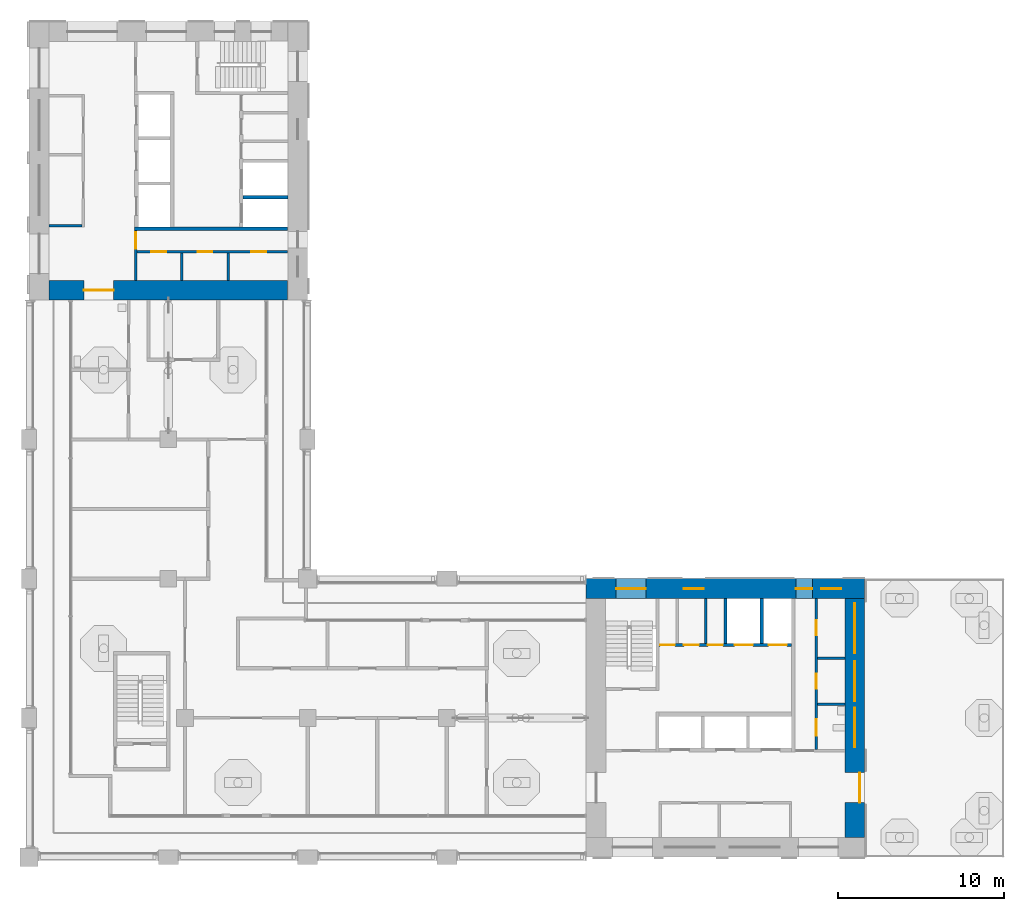
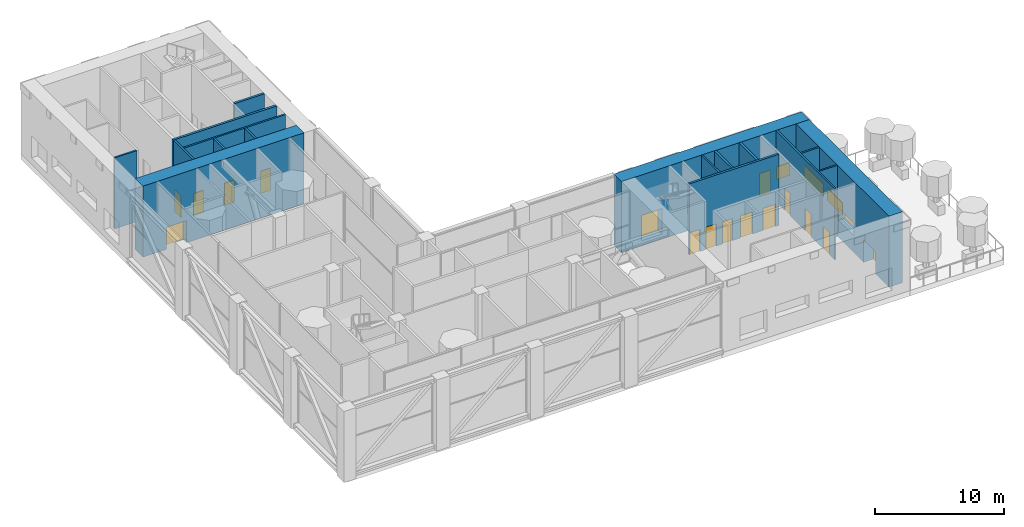
# One storey, part 9 of 20: 17 walls, 14 doors, 7 windows, 21 openings.
"""IFC4 building model written with IfcOpenShell, lengths in metres."""

from ifc_helpers import new_model, si_unit, direction, frame, frame_2d, origin, place, context, subcontext, project, spatial, rectangle, extrude, material, layer, layer_set, type_object, element, fill, save


model = new_model("IFC4")

# Units and contexts
model_context = context("Model", 3, precision=1e-05, world=origin(), true_north=direction((0.0, 1.0)))
body_context = subcontext(model_context, "Body", "Model", "MODEL_VIEW")
ifc_project = project(units=[si_unit("LENGTHUNIT", "METRE"), si_unit("AREAUNIT", "SQUARE_METRE"), si_unit("VOLUMEUNIT", "CUBIC_METRE"), si_unit("PLANEANGLEUNIT", "RADIAN"), si_unit("MASSUNIT", "GRAM", prefix="KILO")], contexts=[model_context])

# Site, building, storey
site_placement = place(None, origin())
site = spatial("IfcSite", under=ifc_project, at=site_placement, CompositionType="ELEMENT")
building_placement = place(site_placement, origin())
building = spatial("IfcBuilding", under=site, at=building_placement, Name="Vermilion Gate Residences", CompositionType="ELEMENT")
storey_placement = place(building_placement, frame((0.0, 0.0, 207.199951171875)))
storey = spatial("IfcBuildingStorey", under=building, at=storey_placement, Name="L54", CompositionType="ELEMENT", Elevation=207.199951171875)

# Walls
ifc_material_1 = material(Name="Masonry blockwork", Category="masonry")
ifc_layer_1 = layer(ifc_material_1, 0.14990234375)
ifc_layer_set_1 = layer_set([ifc_layer_1], Name="BLOCKWORK PARTITION 150 EI 120")
wall_type_1 = type_object("IfcWallType", Name="BLOCKWORK PARTITION 150 EI 120", PredefinedType="PARTITIONING", material=ifc_layer_set_1)
wall_1_placement = place(storey_placement, frame((49.217041015625, 21.300048828125, 0.0), z_axis=(0.0, 0.0, 1.0), x_axis=(0.0, 1.0, 0.0)))
element("IfcWall", 1, at=wall_1_placement, inside=storey, type_object=wall_type_1, Name="Core room partition A54-NR-P1", PredefinedType="PARTITIONING", context=body_context, shape_type="SweptSolid", body=[
    extrude(rectangle(XDim=2.699951171875, YDim=0.14990234375, at=frame_2d((1.35009765625, 0.0))), origin(), (0.0, 0.0, 1.0), 6.719970703125),
])
for number, where, z_axis, x_axis, name in (
    (2, (55.949951171875, 17.614990234375, 0.0), (0.0, 0.0, 1.0), (1.0, 0.0, 0.0), "Core room partition A54-ES-P0"),
    (3, (55.949951171875, 20.405029296875, 0.0), (0.0, 0.0, 1.0), (1.0, 0.0, 0.0), "Core room partition A54-ES-P1"),
):
    element("IfcWall", number, at=place(storey_placement, frame(where, z_axis=z_axis, x_axis=x_axis)), inside=storey, type_object=wall_type_1, Name=name, PredefinedType="PARTITIONING", context=body_context, shape_type="SweptSolid", body=[
        extrude(rectangle(XDim=1.650146484375, YDim=0.14990234375, at=frame_2d((0.8251953125, 0.0))), origin(), (0.0, 0.0, 1.0), 6.719970703125),
    ])

# Wall, openings, doors
wall_2_placement = place(storey_placement, frame((55.875, 14.89990234375, 0.0), z_axis=(0.0, 0.0, 1.0), x_axis=(0.0, 1.0, 0.0)))
wall_2 = element("IfcWall", 4, at=wall_2_placement, inside=storey, type_object=wall_type_1, Name="Core room partition A54-ES-W", PredefinedType="PARTITIONING", context=body_context, shape_type="SweptSolid", body=[
    extrude(rectangle(XDim=9.10009765625, YDim=0.14990234375, at=frame_2d((4.550048828125, 0.0))), origin(), (0.0, 0.0, 1.0), 6.719970703125),
])
opening_1_placement = place(wall_2_placement, frame((0.820068359375, 0.0, 0.0)))
opening_1 = element("IfcOpeningElement", 5, at=opening_1_placement, cuts=wall_2, Name="Opening DK54016", PredefinedType="OPENING", context=body_context, shape_type="SweptSolid", body=[
    extrude(rectangle(XDim=1.0, YDim=2.10009765625, at=frame_2d((0.5, 1.050048828125))), frame((0.0, 0.0849609375, 0.0), z_axis=(0.0, -1.0, 0.0), x_axis=(1.0, 0.0, 0.0)), (0.0, 0.0, 1.0), 0.169921875),
])
opening_2_placement = place(wall_2_placement, frame((3.659912109375, 0.0, 0.0)))
opening_2 = element("IfcOpeningElement", 6, at=opening_2_placement, cuts=wall_2, Name="Opening DK54017", PredefinedType="OPENING", context=body_context, shape_type="SweptSolid", body=[
    extrude(rectangle(XDim=0.89990234375, YDim=2.10009765625, at=frame_2d((0.449951171875, 1.050048828125))), frame((0.0, 0.0849609375, 0.0), z_axis=(0.0, -1.0, 0.0), x_axis=(1.0, 0.0, 0.0)), (0.0, 0.0, 1.0), 0.169921875),
])
opening_3_placement = place(wall_2_placement, frame((6.889892578125, 0.0, 0.0)))
opening_3 = element("IfcOpeningElement", 7, at=opening_3_placement, cuts=wall_2, Name="Opening DK54018", PredefinedType="OPENING", context=body_context, shape_type="SweptSolid", body=[
    extrude(rectangle(XDim=0.89990234375, YDim=2.10009765625, at=frame_2d((0.449951171875, 1.050048828125))), frame((0.0, 0.0849609375, 0.0), z_axis=(0.0, -1.0, 0.0), x_axis=(1.0, 0.0, 0.0)), (0.0, 0.0, 1.0), 0.169921875),
])
ifc_material_2 = material(Name="Steel", Category="steel")
door_type_1 = type_object("IfcDoorType", Name="FIRE DOOR FD60 1000 X 2100", OperationType="SINGLE_SWING_LEFT", PredefinedType="DOOR", material=ifc_material_2)
door_1_placement = place(opening_1_placement, frame((1.0, 0.0, 0.0), z_axis=(0.0, 0.0, 1.0), x_axis=(-1.0, 0.0, 0.0)))
door_1 = element("IfcDoor", 8, at=door_1_placement, inside=storey, type_object=door_type_1, Name="Accessible WC A54", OperationType="SINGLE_SWING_LEFT", OverallHeight=2.10009765625, OverallWidth=1.0, PredefinedType="DOOR", context=body_context, shape_type="SweptSolid", body=[
    extrude(rectangle(XDim=1.0, YDim=2.10009765625, at=frame_2d((0.5, 1.050048828125))), frame((0.0, 0.02490234375, 0.0), z_axis=(0.0, -1.0, 0.0), x_axis=(1.0, 0.0, 0.0)), (0.0, 0.0, 1.0), 0.050048828125),
])
fill(opening_1, door_1)
ifc_material_3 = material(Name="Steel", Category="steel")
door_type_2 = type_object("IfcDoorType", Name="SERVICE ROOM DOOR FD60 900 X 2100", OperationType="SINGLE_SWING_LEFT", PredefinedType="DOOR", material=ifc_material_3)
door_2_placement = place(opening_2_placement, frame((0.89990234375, 0.0, 0.0), z_axis=(0.0, 0.0, 1.0), x_axis=(-1.0, 0.0, 0.0)))
door_2 = element("IfcDoor", 9, at=door_2_placement, inside=storey, type_object=door_type_2, Name="Cooling water tank room A54", OperationType="SINGLE_SWING_LEFT", OverallHeight=2.10009765625, OverallWidth=0.89990234375, PredefinedType="DOOR", context=body_context, shape_type="SweptSolid", body=[
    extrude(rectangle(XDim=0.89990234375, YDim=2.10009765625, at=frame_2d((0.449951171875, 1.050048828125))), frame((0.0, 0.02490234375, 0.0), z_axis=(0.0, -1.0, 0.0), x_axis=(1.0, 0.0, 0.0)), (0.0, 0.0, 1.0), 0.050048828125),
])
fill(opening_2, door_2)
door_3_placement = place(opening_3_placement, frame((0.89990234375, 0.0, 0.0), z_axis=(0.0, 0.0, 1.0), x_axis=(-1.0, 0.0, 0.0)))
door_3 = element("IfcDoor", 10, at=door_3_placement, inside=storey, type_object=door_type_2, Name="Generator room A54", OperationType="SINGLE_SWING_RIGHT", OverallHeight=2.10009765625, OverallWidth=0.89990234375, PredefinedType="DOOR", context=body_context, shape_type="SweptSolid", body=[
    extrude(rectangle(XDim=0.89990234375, YDim=2.10009765625, at=frame_2d((0.449951171875, 1.050048828125))), frame((0.0, 0.02490234375, 0.0), z_axis=(0.0, -1.0, 0.0), x_axis=(1.0, 0.0, 0.0)), (0.0, 0.0, 1.0), 0.050048828125),
])
fill(opening_3, door_3)

# Wall
wall_3_placement = place(storey_placement, frame((9.60009765625, 46.47509765625, 0.0), z_axis=(0.0, 0.0, 1.0), x_axis=(1.0, 0.0, 0.0)))
element("IfcWall", 11, at=wall_3_placement, inside=storey, type_object=wall_type_1, Name="Core room partition B54-RW-E", PredefinedType="PARTITIONING", context=body_context, shape_type="SweptSolid", body=[
    extrude(rectangle(XDim=2.0, YDim=0.14990234375, at=frame_2d((1.0, 0.0))), origin(), (0.0, 0.0, 1.0), 6.719970703125),
])

# Wall, opening, door
wall_4_placement = place(storey_placement, frame((14.824951171875, 46.199951171875, 0.0), z_axis=(0.0, 0.0, 1.0), x_axis=(0.0, -1.0, 0.0)))
wall_4 = element("IfcWall", 12, at=wall_4_placement, inside=storey, type_object=wall_type_1, Name="Core room partition B54-ES-S", PredefinedType="PARTITIONING", context=body_context, shape_type="SweptSolid", body=[
    extrude(rectangle(XDim=3.0, YDim=0.14990234375, at=frame_2d((1.5, 0.0))), origin(), (0.0, 0.0, 1.0), 6.719970703125),
])
opening_4_placement = place(wall_4_placement, frame((0.10009765625, 0.0, 0.0)))
opening_4 = element("IfcOpeningElement", 13, at=opening_4_placement, cuts=wall_4, Name="Opening DK54114", PredefinedType="OPENING", context=body_context, shape_type="SweptSolid", body=[
    extrude(rectangle(XDim=1.0, YDim=2.10009765625, at=frame_2d((0.5, 1.050048828125))), frame((0.0, 0.0849609375, 0.0), z_axis=(0.0, -1.0, 0.0), x_axis=(1.0, 0.0, 0.0)), (0.0, 0.0, 1.0), 0.169921875),
])
door_4_placement = place(opening_4_placement, frame((1.0, 0.0, 0.0), z_axis=(0.0, 0.0, 1.0), x_axis=(-1.0, 0.0, 0.0)))
door_4 = element("IfcDoor", 14, at=door_4_placement, inside=storey, type_object=door_type_1, Name="Service corridor door B54", OperationType="SINGLE_SWING_LEFT", OverallHeight=2.10009765625, OverallWidth=1.0, PredefinedType="DOOR", context=body_context, shape_type="SweptSolid", body=[
    extrude(rectangle(XDim=1.0, YDim=2.10009765625, at=frame_2d((0.5, 1.050048828125))), frame((0.0, 0.02490234375, 0.0), z_axis=(0.0, -1.0, 0.0), x_axis=(1.0, 0.0, 0.0)), (0.0, 0.0, 1.0), 0.050048828125),
])
fill(opening_4, door_4)

# Walls
for number, where, z_axis, x_axis, name in (
    (15, (17.614990234375, 44.85009765625, 0.0), (0.0, 0.0, 1.0), (0.0, -1.0, 0.0), "Core room partition B54-ES-P0"),
    (16, (20.405029296875, 44.85009765625, 0.0), (0.0, 0.0, 1.0), (0.0, -1.0, 0.0), "Core room partition B54-ES-P1"),
):
    element("IfcWall", number, at=place(storey_placement, frame(where, z_axis=z_axis, x_axis=x_axis)), inside=storey, type_object=wall_type_1, Name=name, PredefinedType="PARTITIONING", context=body_context, shape_type="SweptSolid", body=[
        extrude(rectangle(XDim=1.650146484375, YDim=0.14990234375, at=frame_2d((0.8251953125, 0.0))), origin(), (0.0, 0.0, 1.0), 6.719970703125),
    ])

# Wall, openings, doors
wall_5_placement = place(storey_placement, frame((14.89990234375, 44.925048828125, 0.0), z_axis=(0.0, 0.0, 1.0), x_axis=(1.0, 0.0, 0.0)))
wall_5 = element("IfcWall", 17, at=wall_5_placement, inside=storey, type_object=wall_type_1, Name="Core room partition B54-ES-W", PredefinedType="PARTITIONING", context=body_context, shape_type="SweptSolid", body=[
    extrude(rectangle(XDim=9.10009765625, YDim=0.14990234375, at=frame_2d((4.550048828125, 0.0))), origin(), (0.0, 0.0, 1.0), 6.719970703125),
])
opening_5_placement = place(wall_5_placement, frame((0.8701171875, 0.0, 0.0)))
opening_5 = element("IfcOpeningElement", 18, at=opening_5_placement, cuts=wall_5, Name="Opening DK54115", PredefinedType="OPENING", context=body_context, shape_type="SweptSolid", body=[
    extrude(rectangle(XDim=0.89990234375, YDim=2.10009765625, at=frame_2d((0.449951171875, 1.050048828125))), frame((0.0, 0.0849609375, 0.0), z_axis=(0.0, -1.0, 0.0), x_axis=(1.0, 0.0, 0.0)), (0.0, 0.0, 1.0), 0.169921875),
])
opening_6_placement = place(wall_5_placement, frame((3.659912109375, 0.0, 0.0)))
opening_6 = element("IfcOpeningElement", 19, at=opening_6_placement, cuts=wall_5, Name="Opening DK54116", PredefinedType="OPENING", context=body_context, shape_type="SweptSolid", body=[
    extrude(rectangle(XDim=0.89990234375, YDim=2.10009765625, at=frame_2d((0.449951171875, 1.050048828125))), frame((0.0, 0.0849609375, 0.0), z_axis=(0.0, -1.0, 0.0), x_axis=(1.0, 0.0, 0.0)), (0.0, 0.0, 1.0), 0.169921875),
])
opening_7_placement = place(wall_5_placement, frame((6.889892578125, 0.0, 0.0)))
opening_7 = element("IfcOpeningElement", 20, at=opening_7_placement, cuts=wall_5, Name="Opening DK54117", PredefinedType="OPENING", context=body_context, shape_type="SweptSolid", body=[
    extrude(rectangle(XDim=0.89990234375, YDim=2.10009765625, at=frame_2d((0.449951171875, 1.050048828125))), frame((0.0, 0.0849609375, 0.0), z_axis=(0.0, -1.0, 0.0), x_axis=(1.0, 0.0, 0.0)), (0.0, 0.0, 1.0), 0.169921875),
])
door_5_placement = place(opening_5_placement, frame((0.89990234375, 0.0, 0.0), z_axis=(0.0, 0.0, 1.0), x_axis=(-1.0, 0.0, 0.0)))
door_5 = element("IfcDoor", 21, at=door_5_placement, inside=storey, type_object=door_type_2, Name="Boiler plant room B54", OperationType="SINGLE_SWING_LEFT", OverallHeight=2.10009765625, OverallWidth=0.89990234375, PredefinedType="DOOR", context=body_context, shape_type="SweptSolid", body=[
    extrude(rectangle(XDim=0.89990234375, YDim=2.10009765625, at=frame_2d((0.449951171875, 1.050048828125))), frame((0.0, 0.02490234375, 0.0), z_axis=(0.0, -1.0, 0.0), x_axis=(1.0, 0.0, 0.0)), (0.0, 0.0, 1.0), 0.050048828125),
])
fill(opening_5, door_5)
door_6_placement = place(opening_6_placement, frame((0.89990234375, 0.0, 0.0), z_axis=(0.0, 0.0, 1.0), x_axis=(-1.0, 0.0, 0.0)))
door_6 = element("IfcDoor", 22, at=door_6_placement, inside=storey, type_object=door_type_2, Name="Cooling water tank room B54", OperationType="SINGLE_SWING_LEFT", OverallHeight=2.10009765625, OverallWidth=0.89990234375, PredefinedType="DOOR", context=body_context, shape_type="SweptSolid", body=[
    extrude(rectangle(XDim=0.89990234375, YDim=2.10009765625, at=frame_2d((0.449951171875, 1.050048828125))), frame((0.0, 0.02490234375, 0.0), z_axis=(0.0, -1.0, 0.0), x_axis=(1.0, 0.0, 0.0)), (0.0, 0.0, 1.0), 0.050048828125),
])
fill(opening_6, door_6)
door_7_placement = place(opening_7_placement, frame((0.89990234375, 0.0, 0.0), z_axis=(0.0, 0.0, 1.0), x_axis=(-1.0, 0.0, 0.0)))
door_7 = element("IfcDoor", 23, at=door_7_placement, inside=storey, type_object=door_type_2, Name="Chiller plant room B54", OperationType="SINGLE_SWING_RIGHT", OverallHeight=2.10009765625, OverallWidth=0.89990234375, PredefinedType="DOOR", context=body_context, shape_type="SweptSolid", body=[
    extrude(rectangle(XDim=0.89990234375, YDim=2.10009765625, at=frame_2d((0.449951171875, 1.050048828125))), frame((0.0, 0.02490234375, 0.0), z_axis=(0.0, -1.0, 0.0), x_axis=(1.0, 0.0, 0.0)), (0.0, 0.0, 1.0), 0.050048828125),
])
fill(opening_7, door_7)

# Walls
ifc_material_4 = material(Name="Concrete C60", Category="concrete")
ifc_layer_2 = layer(ifc_material_4, 0.199951171875)
ifc_layer_set_2 = layer_set([ifc_layer_2], Name="RC CORE INTERNAL WALL 200 C60")
wall_type_2 = type_object("IfcWallType", Name="RC CORE INTERNAL WALL 200 C60", PredefinedType="SHEAR", material=ifc_layer_set_2)
for number, where, z_axis, x_axis, name in (
    (24, (50.39990234375, 21.300048828125, 0.0), (0.0, 0.0, 1.0), (0.0, 1.0, 0.0), "Core internal wall A54-FF-D0"),
    (25, (52.60009765625, 21.300048828125, 0.0), (0.0, 0.0, 1.0), (0.0, 1.0, 0.0), "Core internal wall A54-FF-D1"),
):
    element("IfcWall", number, at=place(storey_placement, frame(where, z_axis=z_axis, x_axis=x_axis)), inside=storey, type_object=wall_type_2, Name=name, PredefinedType="SHEAR", context=body_context, shape_type="SweptSolid", body=[
        extrude(rectangle(XDim=2.699951171875, YDim=0.199951171875, at=frame_2d((1.35009765625, 0.0))), origin(), (0.0, 0.0, 1.0), 6.719970703125),
    ])

# Wall, openings, doors
wall_6_placement = place(storey_placement, frame((46.39990234375, 21.199951171875, 0.0), z_axis=(0.0, 0.0, 1.0), x_axis=(1.0, 0.0, 0.0)))
wall_6 = element("IfcWall", 26, at=wall_6_placement, inside=storey, type_object=wall_type_2, Name="Core internal wall A54-FF-F", PredefinedType="SHEAR", context=body_context, shape_type="SweptSolid", body=[
    extrude(rectangle(XDim=8.0, YDim=0.199951171875, at=frame_2d((4.0, 0.0))), origin(), (0.0, 0.0, 1.0), 6.719970703125),
])
opening_8_placement = place(wall_6_placement, frame((0.053955078125, 0.0, 0.0)))
opening_8 = element("IfcOpeningElement", 27, at=opening_8_placement, cuts=wall_6, Name="Opening DK54008", PredefinedType="OPENING", context=body_context, shape_type="SweptSolid", body=[
    extrude(rectangle(XDim=0.89990234375, YDim=2.10009765625, at=frame_2d((0.449951171875, 1.050048828125))), frame((0.0, 0.10986328125, 0.0), z_axis=(0.0, -1.0, 0.0), x_axis=(1.0, 0.0, 0.0)), (0.0, 0.0, 1.0), 0.219970703125),
])
opening_9_placement = place(wall_6_placement, frame((1.5, 0.0, 0.0)))
opening_9 = element("IfcOpeningElement", 28, at=opening_9_placement, cuts=wall_6, Name="Opening DK54009", PredefinedType="OPENING", context=body_context, shape_type="SweptSolid", body=[
    extrude(rectangle(XDim=0.89990234375, YDim=2.10009765625, at=frame_2d((0.449951171875, 1.050048828125))), frame((0.0, 0.10986328125, 0.0), z_axis=(0.0, -1.0, 0.0), x_axis=(1.0, 0.0, 0.0)), (0.0, 0.0, 1.0), 0.219970703125),
])
opening_10_placement = place(wall_6_placement, frame((2.946044921875, 0.0, 0.0)))
opening_10 = element("IfcOpeningElement", 29, at=opening_10_placement, cuts=wall_6, Name="Opening DK54010", PredefinedType="OPENING", context=body_context, shape_type="SweptSolid", body=[
    extrude(rectangle(XDim=0.89990234375, YDim=2.10009765625, at=frame_2d((0.449951171875, 1.050048828125))), frame((0.0, 0.10986328125, 0.0), z_axis=(0.0, -1.0, 0.0), x_axis=(1.0, 0.0, 0.0)), (0.0, 0.0, 1.0), 0.219970703125),
])
opening_11_placement = place(wall_6_placement, frame((4.550048828125, 0.0, 0.0)))
opening_11 = element("IfcOpeningElement", 30, at=opening_11_placement, cuts=wall_6, Name="Opening LD", PredefinedType="OPENING", context=body_context, shape_type="SweptSolid", body=[
    extrude(rectangle(XDim=1.10009765625, YDim=2.10009765625, at=frame_2d((0.550048828125, 1.050048828125))), frame((0.0, 0.10986328125, 0.0), z_axis=(0.0, -1.0, 0.0), x_axis=(1.0, 0.0, 0.0)), (0.0, 0.0, 1.0), 0.219970703125),
])
opening_12_placement = place(wall_6_placement, frame((6.60009765625, 0.0, 0.0)))
opening_12 = element("IfcOpeningElement", 31, at=opening_12_placement, cuts=wall_6, Name="Opening LD", PredefinedType="OPENING", context=body_context, shape_type="SweptSolid", body=[
    extrude(rectangle(XDim=1.10009765625, YDim=2.10009765625, at=frame_2d((0.550048828125, 1.050048828125))), frame((0.0, 0.10986328125, 0.0), z_axis=(0.0, -1.0, 0.0), x_axis=(1.0, 0.0, 0.0)), (0.0, 0.0, 1.0), 0.219970703125),
])
ifc_material_5 = material(Name="Stainless steel", Category="steel")
door_type_3 = type_object("IfcDoorType", Name="LIFT LANDING DOOR E60 1100 X 2100", OperationType="DOUBLE_DOOR_SLIDING", PredefinedType="DOOR", material=ifc_material_5)
door_8_placement = place(opening_11_placement, origin())
door_8 = element("IfcDoor", 32, at=door_8_placement, inside=storey, type_object=door_type_3, Name="Lift landing door LFA1", OperationType="DOUBLE_DOOR_SLIDING", OverallHeight=2.10009765625, OverallWidth=1.10009765625, PredefinedType="DOOR", context=body_context, shape_type="SweptSolid", body=[
    extrude(rectangle(XDim=1.10009765625, YDim=2.10009765625, at=frame_2d((0.550048828125, 1.050048828125))), frame((0.0, 0.02490234375, 0.0), z_axis=(0.0, -1.0, 0.0), x_axis=(1.0, 0.0, 0.0)), (0.0, 0.0, 1.0), 0.050048828125),
])
fill(opening_11, door_8)
door_9_placement = place(opening_12_placement, origin())
door_9 = element("IfcDoor", 33, at=door_9_placement, inside=storey, type_object=door_type_3, Name="Lift landing door LCA1", OperationType="DOUBLE_DOOR_SLIDING", OverallHeight=2.10009765625, OverallWidth=1.10009765625, PredefinedType="DOOR", context=body_context, shape_type="SweptSolid", body=[
    extrude(rectangle(XDim=1.10009765625, YDim=2.10009765625, at=frame_2d((0.550048828125, 1.050048828125))), frame((0.0, 0.02490234375, 0.0), z_axis=(0.0, -1.0, 0.0), x_axis=(1.0, 0.0, 0.0)), (0.0, 0.0, 1.0), 0.050048828125),
])
fill(opening_12, door_9)
door_10_placement = place(opening_8_placement, frame((0.89990234375, 0.0, 0.0), z_axis=(0.0, 0.0, 1.0), x_axis=(-1.0, 0.0, 0.0)))
door_10 = element("IfcDoor", 34, at=door_10_placement, inside=storey, type_object=door_type_2, Name="AHU plant room A54", OperationType="SINGLE_SWING_RIGHT", OverallHeight=2.10009765625, OverallWidth=0.89990234375, PredefinedType="DOOR", context=body_context, shape_type="SweptSolid", body=[
    extrude(rectangle(XDim=0.89990234375, YDim=2.10009765625, at=frame_2d((0.449951171875, 1.050048828125))), frame((0.0, 0.02490234375, 0.0), z_axis=(0.0, -1.0, 0.0), x_axis=(1.0, 0.0, 0.0)), (0.0, 0.0, 1.0), 0.050048828125),
])
fill(opening_8, door_10)
door_11_placement = place(opening_9_placement, origin())
door_11 = element("IfcDoor", 35, at=door_11_placement, inside=storey, type_object=door_type_2, Name="Communications room A54", OperationType="SINGLE_SWING_LEFT", OverallHeight=2.10009765625, OverallWidth=0.89990234375, PredefinedType="DOOR", context=body_context, shape_type="SweptSolid", body=[
    extrude(rectangle(XDim=0.89990234375, YDim=2.10009765625, at=frame_2d((0.449951171875, 1.050048828125))), frame((0.0, 0.02490234375, 0.0), z_axis=(0.0, -1.0, 0.0), x_axis=(1.0, 0.0, 0.0)), (0.0, 0.0, 1.0), 0.050048828125),
])
fill(opening_9, door_11)
door_12_placement = place(opening_10_placement, frame((0.89990234375, 0.0, 0.0), z_axis=(0.0, 0.0, 1.0), x_axis=(-1.0, 0.0, 0.0)))
door_12 = element("IfcDoor", 36, at=door_12_placement, inside=storey, type_object=door_type_2, Name="Electrical switch room A54", OperationType="SINGLE_SWING_RIGHT", OverallHeight=2.10009765625, OverallWidth=0.89990234375, PredefinedType="DOOR", context=body_context, shape_type="SweptSolid", body=[
    extrude(rectangle(XDim=0.89990234375, YDim=2.10009765625, at=frame_2d((0.449951171875, 1.050048828125))), frame((0.0, 0.02490234375, 0.0), z_axis=(0.0, -1.0, 0.0), x_axis=(1.0, 0.0, 0.0)), (0.0, 0.0, 1.0), 0.050048828125),
])
fill(opening_10, door_12)

# Walls
wall_7_placement = place(storey_placement, frame((21.300048828125, 48.199951171875, 0.0), z_axis=(0.0, 0.0, 1.0), x_axis=(1.0, 0.0, 0.0)))
element("IfcWall", 37, at=wall_7_placement, inside=storey, type_object=wall_type_2, Name="Core internal wall B54-FF-D1", PredefinedType="SHEAR", context=body_context, shape_type="SweptSolid", body=[
    extrude(rectangle(XDim=2.699951171875, YDim=0.199951171875, at=frame_2d((1.35009765625, 0.0))), origin(), (0.0, 0.0, 1.0), 6.719970703125),
])
wall_8_placement = place(storey_placement, frame((14.75, 46.300048828125, 0.0), z_axis=(0.0, 0.0, 1.0), x_axis=(1.0, 0.0, 0.0)))
element("IfcWall", 38, at=wall_8_placement, inside=storey, type_object=wall_type_2, Name="Core internal wall B54-EDIV", PredefinedType="SHEAR", context=body_context, shape_type="SweptSolid", body=[
    extrude(rectangle(XDim=9.25, YDim=0.199951171875, at=frame_2d((4.625, 0.0))), origin(), (0.0, 0.0, 1.0), 6.719970703125),
])

# Wall, opening, door
ifc_material_6 = material(Name="Concrete C60", Category="concrete")
ifc_layer_3 = layer(ifc_material_6, 1.199951171875)
ifc_layer_set_3 = layer_set([ifc_layer_3], Name="RC CORE WALL 1200 C60")
wall_type_3 = type_object("IfcWallType", Name="RC CORE WALL 1200 C60", PredefinedType="SHEAR", material=ifc_layer_set_3)
wall_9_placement = place(storey_placement, frame((9.60009765625, 42.60009765625, 0.0), z_axis=(0.0, 0.0, 1.0), x_axis=(1.0, 0.0, 0.0)))
wall_9 = element("IfcWall", 39, at=wall_9_placement, inside=storey, type_object=wall_type_3, Name="Core wall B54-OUT-BK", PredefinedType="SHEAR", context=body_context, shape_type="SweptSolid", body=[
    extrude(rectangle(XDim=14.39990234375, YDim=1.199951171875, at=frame_2d((7.199951171875, 0.0))), origin(), (0.0, 0.0, 1.0), 6.719970703125),
])
opening_13_placement = place(wall_9_placement, frame((2.10009765625, 0.0, 0.0)))
opening_13 = element("IfcOpeningElement", 40, at=opening_13_placement, cuts=wall_9, Name="Opening DK54101", PredefinedType="OPENING", context=body_context, shape_type="SweptSolid", body=[
    extrude(rectangle(XDim=1.800048828125, YDim=2.10009765625, at=frame_2d((0.89990234375, 1.050048828125))), frame((0.0, 0.60986328125, 0.0), z_axis=(0.0, -1.0, 0.0), x_axis=(1.0, 0.0, 0.0)), (0.0, 0.0, 1.0), 1.219970703125),
])
ifc_material_7 = material(Name="Steel", Category="steel")
door_type_4 = type_object("IfcDoorType", Name="CORE LOBBY DOOR FD60 1800 X 2100", OperationType="DOUBLE_DOOR_SINGLE_SWING", PredefinedType="DOOR", material=ifc_material_7)
door_13_placement = place(opening_13_placement, frame((1.800048828125, 0.0, 0.0), z_axis=(0.0, 0.0, 1.0), x_axis=(-1.0, 0.0, 0.0)))
door_13 = element("IfcDoor", 41, at=door_13_placement, inside=storey, type_object=door_type_4, Name="Core lobby door B54", OperationType="DOUBLE_DOOR_SINGLE_SWING", OverallHeight=2.10009765625, OverallWidth=1.800048828125, PredefinedType="DOOR", context=body_context, shape_type="SweptSolid", body=[
    extrude(rectangle(XDim=1.800048828125, YDim=2.10009765625, at=frame_2d((0.89990234375, 1.050048828125))), frame((0.0, 0.02490234375, 0.0), z_axis=(0.0, -1.0, 0.0), x_axis=(1.0, 0.0, 0.0)), (0.0, 0.0, 1.0), 0.050048828125),
])
fill(opening_13, door_13)

# Wall, openings, windows
ifc_material_8 = material(Name="Concrete C60 red-oxide pigmented", Category="concrete")
ifc_layer_4 = layer(ifc_material_8, 1.199951171875)
ifc_layer_set_4 = layer_set([ifc_layer_4], Name="RC CORE WALL 1200 C60 RED OXIDE")
wall_type_4 = type_object("IfcWallType", Name="RC CORE WALL 1200 C60 RED OXIDE", PredefinedType="SHEAR", material=ifc_layer_set_4)
wall_10_placement = place(storey_placement, frame((42.0, 24.60009765625, 0.0), z_axis=(0.0, 0.0, 1.0), x_axis=(1.0, 0.0, 0.0)))
wall_10 = element("IfcWall", 42, at=wall_10_placement, inside=storey, type_object=wall_type_4, Name="Core wall A54-OUT-B1", PredefinedType="SHEAR", context=body_context, shape_type="SweptSolid", body=[
    extrude(rectangle(XDim=16.800048828125, YDim=1.199951171875, at=frame_2d((8.39990234375, 0.0))), origin(), (0.0, 0.0, 1.0), 6.719970703125),
])
opening_14_placement = place(wall_10_placement, frame((1.800048828125, 0.0, 0.5)))
opening_14 = element("IfcOpeningElement", 43, at=opening_14_placement, cuts=wall_10, Name="Opening WKA5405", PredefinedType="OPENING", context=body_context, shape_type="SweptSolid", body=[
    extrude(rectangle(XDim=1.800048828125, YDim=2.39990234375, at=frame_2d((0.89990234375, 1.199951171875))), frame((0.0, 0.60986328125, 0.0), z_axis=(0.0, -1.0, 0.0), x_axis=(1.0, 0.0, 0.0)), (0.0, 0.0, 1.0), 1.219970703125),
])
opening_15_placement = place(wall_10_placement, frame((5.89208984375, 0.0, 1.60009765625)))
opening_15 = element("IfcOpeningElement", 44, at=opening_15_placement, cuts=wall_10, Name="Opening WKA5406", PredefinedType="OPENING", context=body_context, shape_type="SweptSolid", body=[
    extrude(rectangle(XDim=1.199951171875, YDim=1.199951171875, at=frame_2d((0.60009765625, 0.60009765625))), frame((0.0, 0.60986328125, 0.0), z_axis=(0.0, -1.0, 0.0), x_axis=(1.0, 0.0, 0.0)), (0.0, 0.0, 1.0), 1.219970703125),
])
opening_16_placement = place(wall_10_placement, frame((12.64990234375, 0.0, 0.60009765625)))
opening_16 = element("IfcOpeningElement", 45, at=opening_16_placement, cuts=wall_10, Name="Opening WKA5407", PredefinedType="OPENING", context=body_context, shape_type="SweptSolid", body=[
    extrude(rectangle(XDim=1.0, YDim=2.10009765625, at=frame_2d((0.5, 1.050048828125))), frame((0.0, 0.60986328125, 0.0), z_axis=(0.0, -1.0, 0.0), x_axis=(1.0, 0.0, 0.0)), (0.0, 0.0, 1.0), 1.219970703125),
])
opening_17_placement = place(wall_10_placement, frame((14.175048828125, 0.0, 1.60009765625)))
opening_17 = element("IfcOpeningElement", 46, at=opening_17_placement, cuts=wall_10, Name="Opening WKA5408", PredefinedType="OPENING", context=body_context, shape_type="SweptSolid", body=[
    extrude(rectangle(XDim=1.199951171875, YDim=1.199951171875, at=frame_2d((0.60009765625, 0.60009765625))), frame((0.0, 0.60986328125, 0.0), z_axis=(0.0, -1.0, 0.0), x_axis=(1.0, 0.0, 0.0)), (0.0, 0.0, 1.0), 1.219970703125),
])
ifc_material_9 = material(Name="Aluminium and clear glass", Category="aluminium")
window_type_1 = type_object("IfcWindowType", Name="CORE CORRIDOR WINDOW 1000 X 2100", PartitioningType="SINGLE_PANEL", PredefinedType="WINDOW", material=ifc_material_9)
window_1_placement = place(opening_16_placement, origin())
window_1 = element("IfcWindow", 47, at=window_1_placement, inside=storey, type_object=window_type_1, Name="Core corridor window", OverallHeight=2.10009765625, OverallWidth=1.0, PartitioningType="SINGLE_PANEL", PredefinedType="WINDOW", context=body_context, shape_type="SweptSolid", body=[
    extrude(rectangle(XDim=1.0, YDim=2.10009765625, at=frame_2d((0.5, 1.050048828125))), frame((0.0, 0.030029296875, 0.0), z_axis=(0.0, -1.0, 0.0), x_axis=(1.0, 0.0, 0.0)), (0.0, 0.0, 1.0), 0.06005859375),
])
fill(opening_16, window_1)
ifc_material_10 = material(Name="Aluminium frame with louvre blades", Category="aluminium")
window_type_2 = type_object("IfcWindowType", Name="CORE LOUVRE 1200 X 1200", PartitioningType="SINGLE_PANEL", PredefinedType="WINDOW", material=ifc_material_10)
window_2_placement = place(opening_15_placement, origin())
window_2 = element("IfcWindow", 48, at=window_2_placement, inside=storey, type_object=window_type_2, Name="Core louvre", OverallHeight=1.199951171875, OverallWidth=1.199951171875, PartitioningType="SINGLE_PANEL", PredefinedType="WINDOW", context=body_context, shape_type="SweptSolid", body=[
    extrude(rectangle(XDim=1.199951171875, YDim=1.199951171875, at=frame_2d((0.60009765625, 0.60009765625))), frame((0.0, 0.030029296875, 0.0), z_axis=(0.0, -1.0, 0.0), x_axis=(1.0, 0.0, 0.0)), (0.0, 0.0, 1.0), 0.06005859375),
])
fill(opening_15, window_2)
window_3_placement = place(opening_17_placement, origin())
window_3 = element("IfcWindow", 49, at=window_3_placement, inside=storey, type_object=window_type_2, Name="Core louvre", OverallHeight=1.199951171875, OverallWidth=1.199951171875, PartitioningType="SINGLE_PANEL", PredefinedType="WINDOW", context=body_context, shape_type="SweptSolid", body=[
    extrude(rectangle(XDim=1.199951171875, YDim=1.199951171875, at=frame_2d((0.60009765625, 0.60009765625))), frame((0.0, 0.030029296875, 0.0), z_axis=(0.0, -1.0, 0.0), x_axis=(1.0, 0.0, 0.0)), (0.0, 0.0, 1.0), 0.06005859375),
])
fill(opening_17, window_3)
ifc_material_11 = material(Name="Aluminium and clear glass", Category="aluminium")
window_type_3 = type_object("IfcWindowType", Name="CORE STAIR WINDOW 1800 X 2400", PartitioningType="SINGLE_PANEL", PredefinedType="WINDOW", material=ifc_material_11)
window_4_placement = place(opening_14_placement, origin())
window_4 = element("IfcWindow", 50, at=window_4_placement, inside=storey, type_object=window_type_3, Name="Core stair window", OverallHeight=2.39990234375, OverallWidth=1.800048828125, PartitioningType="SINGLE_PANEL", PredefinedType="WINDOW", context=body_context, shape_type="SweptSolid", body=[
    extrude(rectangle(XDim=1.800048828125, YDim=2.39990234375, at=frame_2d((0.89990234375, 1.199951171875))), frame((0.0, 0.030029296875, 0.0), z_axis=(0.0, -1.0, 0.0), x_axis=(1.0, 0.0, 0.0)), (0.0, 0.0, 1.0), 0.06005859375),
])
fill(opening_14, window_4)

# Wall, openings, door, windows
wall_11_placement = place(storey_placement, frame((58.199951171875, 9.60009765625, 0.0), z_axis=(0.0, 0.0, 1.0), x_axis=(0.0, 1.0, 0.0)))
wall_11 = element("IfcWall", 51, at=wall_11_placement, inside=storey, type_object=wall_type_4, Name="Core wall A54-OUT-BK", PredefinedType="SHEAR", context=body_context, shape_type="SweptSolid", body=[
    extrude(rectangle(XDim=14.39990234375, YDim=1.199951171875, at=frame_2d((7.199951171875, 0.0))), origin(), (0.0, 0.0, 1.0), 6.719970703125),
])
opening_18_placement = place(wall_11_placement, frame((2.10009765625, 0.0, 0.0)))
opening_18 = element("IfcOpeningElement", 52, at=opening_18_placement, cuts=wall_11, Name="Opening DK54002", PredefinedType="OPENING", context=body_context, shape_type="SweptSolid", body=[
    extrude(rectangle(XDim=1.800048828125, YDim=2.10009765625, at=frame_2d((0.89990234375, 1.050048828125))), frame((0.0, 0.60986328125, 0.0), z_axis=(0.0, -1.0, 0.0), x_axis=(1.0, 0.0, 0.0)), (0.0, 0.0, 1.0), 1.219970703125),
])
opening_19_placement = place(wall_11_placement, frame((5.419921875, 0.0, 1.60009765625)))
opening_19 = element("IfcOpeningElement", 53, at=opening_19_placement, cuts=wall_11, Name="Opening WKA5409", PredefinedType="OPENING", context=body_context, shape_type="SweptSolid", body=[
    extrude(rectangle(XDim=2.39990234375, YDim=1.199951171875, at=frame_2d((1.199951171875, 0.60009765625))), frame((0.0, 0.60986328125, 0.0), z_axis=(0.0, -1.0, 0.0), x_axis=(1.0, 0.0, 0.0)), (0.0, 0.0, 1.0), 1.219970703125),
])
opening_20_placement = place(wall_11_placement, frame((8.2099609375, 0.0, 1.60009765625)))
opening_20 = element("IfcOpeningElement", 54, at=opening_20_placement, cuts=wall_11, Name="Opening WKA5410", PredefinedType="OPENING", context=body_context, shape_type="SweptSolid", body=[
    extrude(rectangle(XDim=2.39990234375, YDim=1.199951171875, at=frame_2d((1.199951171875, 0.60009765625))), frame((0.0, 0.60986328125, 0.0), z_axis=(0.0, -1.0, 0.0), x_axis=(1.0, 0.0, 0.0)), (0.0, 0.0, 1.0), 1.219970703125),
])
opening_21_placement = place(wall_11_placement, frame((11.110107421875, 0.0, 1.60009765625)))
opening_21 = element("IfcOpeningElement", 55, at=opening_21_placement, cuts=wall_11, Name="Opening WKA5411", PredefinedType="OPENING", context=body_context, shape_type="SweptSolid", body=[
    extrude(rectangle(XDim=3.0, YDim=1.199951171875, at=frame_2d((1.5, 0.60009765625))), frame((0.0, 0.60986328125, 0.0), z_axis=(0.0, -1.0, 0.0), x_axis=(1.0, 0.0, 0.0)), (0.0, 0.0, 1.0), 1.219970703125),
])
door_14_placement = place(opening_18_placement, frame((1.800048828125, 0.0, 0.0), z_axis=(0.0, 0.0, 1.0), x_axis=(-1.0, 0.0, 0.0)))
door_14 = element("IfcDoor", 56, at=door_14_placement, inside=storey, type_object=door_type_4, Name="Core lobby door A54", OperationType="DOUBLE_DOOR_SINGLE_SWING", OverallHeight=2.10009765625, OverallWidth=1.800048828125, PredefinedType="DOOR", context=body_context, shape_type="SweptSolid", body=[
    extrude(rectangle(XDim=1.800048828125, YDim=2.10009765625, at=frame_2d((0.89990234375, 1.050048828125))), frame((0.0, 0.3251953125, 0.0), z_axis=(0.0, -1.0, 0.0), x_axis=(1.0, 0.0, 0.0)), (0.0, 0.0, 1.0), 0.050048828125),
])
fill(opening_18, door_14)
ifc_material_12 = material(Name="Aluminium frame with louvre blades", Category="aluminium")
window_type_4 = type_object("IfcWindowType", Name="CORE LOUVRE 2400 X 1200", PartitioningType="SINGLE_PANEL", PredefinedType="WINDOW", material=ifc_material_12)
window_5_placement = place(opening_19_placement, origin())
window_5 = element("IfcWindow", 57, at=window_5_placement, inside=storey, type_object=window_type_4, Name="Core louvre", OverallHeight=1.199951171875, OverallWidth=2.39990234375, PartitioningType="SINGLE_PANEL", PredefinedType="WINDOW", context=body_context, shape_type="SweptSolid", body=[
    extrude(rectangle(XDim=2.39990234375, YDim=1.199951171875, at=frame_2d((1.199951171875, 0.60009765625))), frame((0.0, 0.030029296875, 0.0), z_axis=(0.0, -1.0, 0.0), x_axis=(1.0, 0.0, 0.0)), (0.0, 0.0, 1.0), 0.06005859375),
])
fill(opening_19, window_5)
window_6_placement = place(opening_20_placement, origin())
window_6 = element("IfcWindow", 58, at=window_6_placement, inside=storey, type_object=window_type_4, Name="Core louvre", OverallHeight=1.199951171875, OverallWidth=2.39990234375, PartitioningType="SINGLE_PANEL", PredefinedType="WINDOW", context=body_context, shape_type="SweptSolid", body=[
    extrude(rectangle(XDim=2.39990234375, YDim=1.199951171875, at=frame_2d((1.199951171875, 0.60009765625))), frame((0.0, 0.030029296875, 0.0), z_axis=(0.0, -1.0, 0.0), x_axis=(1.0, 0.0, 0.0)), (0.0, 0.0, 1.0), 0.06005859375),
])
fill(opening_20, window_6)
ifc_material_13 = material(Name="Aluminium frame with louvre blades", Category="aluminium")
window_type_5 = type_object("IfcWindowType", Name="CORE LOUVRE 3000 X 1200", PartitioningType="SINGLE_PANEL", PredefinedType="WINDOW", material=ifc_material_13)
window_7_placement = place(opening_21_placement, origin())
window_7 = element("IfcWindow", 59, at=window_7_placement, inside=storey, type_object=window_type_5, Name="Core louvre", OverallHeight=1.199951171875, OverallWidth=3.0, PartitioningType="SINGLE_PANEL", PredefinedType="WINDOW", context=body_context, shape_type="SweptSolid", body=[
    extrude(rectangle(XDim=3.0, YDim=1.199951171875, at=frame_2d((1.5, 0.60009765625))), frame((0.0, 0.030029296875, 0.0), z_axis=(0.0, -1.0, 0.0), x_axis=(1.0, 0.0, 0.0)), (0.0, 0.0, 1.0), 0.06005859375),
])
fill(opening_21, window_7)

save(model, "model.ifc")
